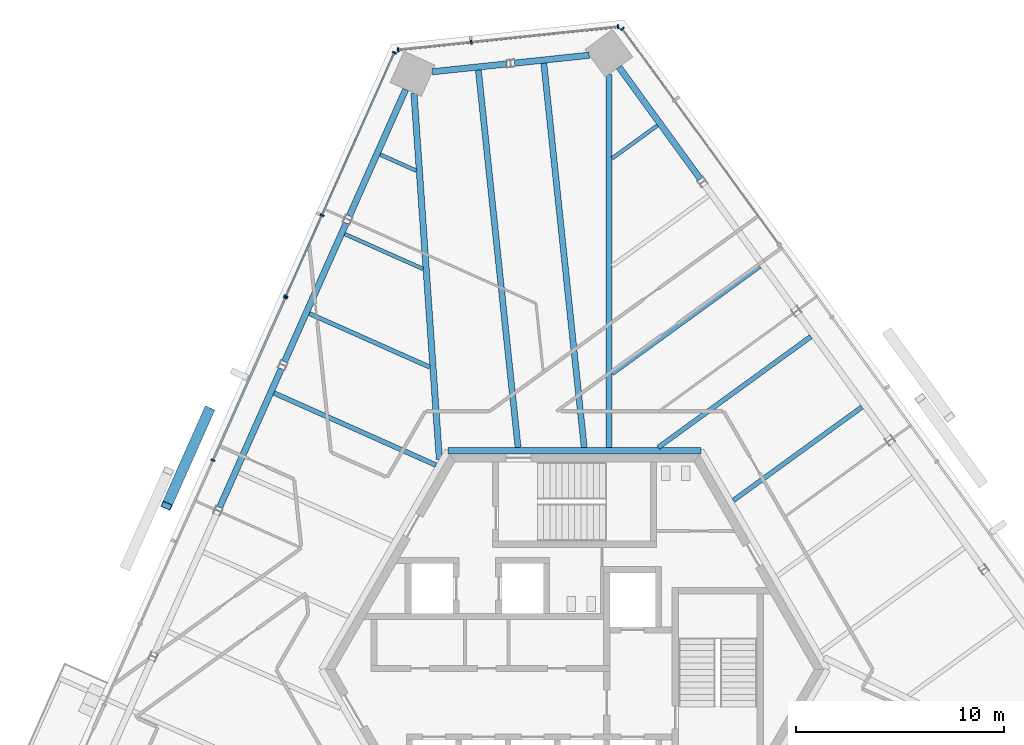
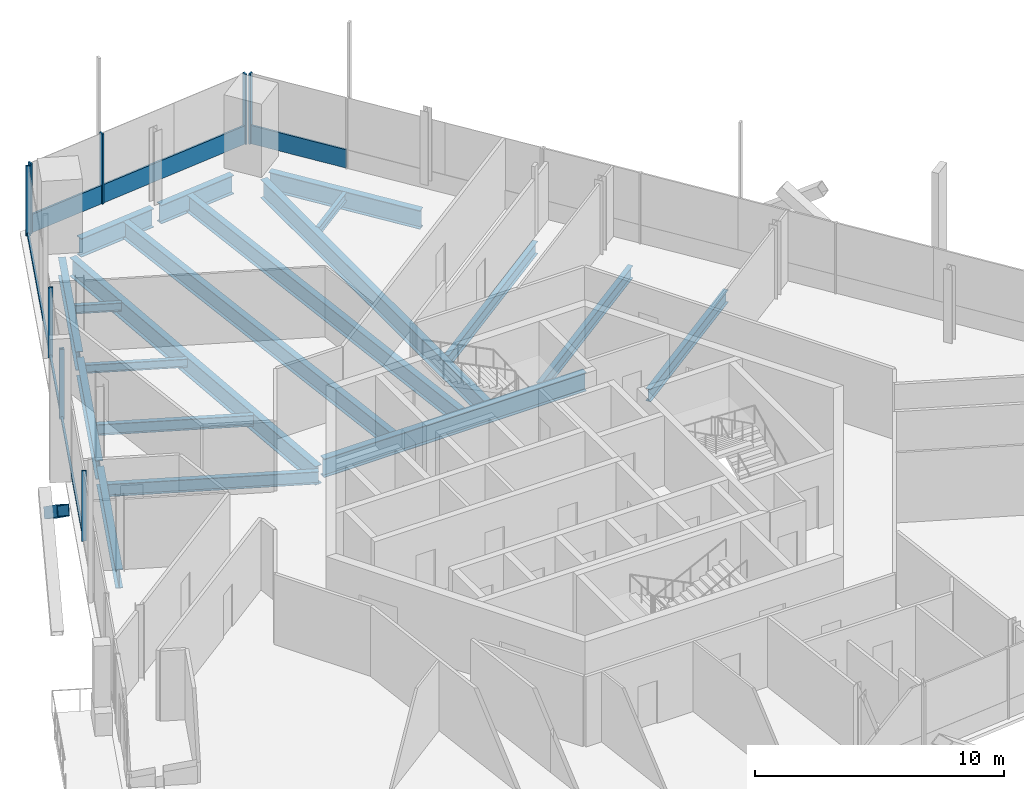
# One storey, part 7 of 20: 19 beams, 16 members, 4 elements without a shape of their own.
"""IFC4 building model written with IfcOpenShell, lengths in metres."""

from ifc_helpers import new_model, si_unit, direction, frame, origin, origin_2d, place, context, subcontext, project, spatial, rectangle, hollow_rectangle, i_section, extrude, source, transform, mapped, material, material_profile, profile_set, type_object, element, aggregate, save


model = new_model("IFC4")

# Units and contexts
model_context = context("Model", 3, precision=1e-05, world=origin(), true_north=direction((0.0, 1.0)))
body_context = subcontext(model_context, "Body", "Model", "MODEL_VIEW")
ifc_project = project(units=[si_unit("LENGTHUNIT", "METRE"), si_unit("AREAUNIT", "SQUARE_METRE"), si_unit("VOLUMEUNIT", "CUBIC_METRE"), si_unit("PLANEANGLEUNIT", "RADIAN"), si_unit("MASSUNIT", "GRAM", prefix="KILO")], contexts=[model_context])

# Site, building, storey
site_placement = place(None, origin())
site = spatial("IfcSite", under=ifc_project, at=site_placement, CompositionType="ELEMENT")
building_placement = place(site_placement, origin())
building = spatial("IfcBuilding", under=site, at=building_placement, Name="Triune Harvest Tower", CompositionType="ELEMENT")
storey_placement = place(building_placement, frame((0.0, 0.0, 234.10009765625)))
storey = spatial("IfcBuildingStorey", under=building, at=storey_placement, Name="L61", CompositionType="ELEMENT", Elevation=234.10009765625)

# Curtain wall, member
ifc_material_1 = material(Name="Aluminium bronze anodised", Category="aluminium")
curtain_wall_type_1 = type_object("IfcCurtainWallType", Name="CW-6 Balcony window wall", PredefinedType="NOTDEFINED", material=ifc_material_1)
curtain_wall_1_placement = place(storey_placement, origin())
curtain_wall_1 = element("IfcCurtainWall", 1, at=curtain_wall_1_placement, inside=storey, type_object=curtain_wall_type_1, Name="CW-6 B6-F3 L61 run 1")
ifc_material_2 = material(Name="Aluminium bronze anodised", Category="aluminium")
ifc_material_profile_1 = material_profile(ifc_material_2, rectangle(XDim=0.090087890625, YDim=0.14990234375, at=origin_2d()), Name="TR-6 transom 90 x 150")
ifc_profile_set_1 = profile_set([ifc_material_profile_1], Name="Aluminium bronze anodised")
member_type_1 = type_object("IfcMemberType", Name="TR-6 transom 90 x 150", PredefinedType="USERDEFINED", material=ifc_profile_set_1)
member_1_placement = place(storey_placement, frame((-12.172119140625, 21.841552734375, 0.074951171875), z_axis=(-0.406727271688, -0.913549629996, 0.0), x_axis=(0.913549629996, -0.406727271688, 0.0)))
member_1 = element("IfcMember", 2, at=member_1_placement, type_object=member_type_1, Name="CW-6 transom B6-F3 1.2", ObjectType="TRANSOM", PredefinedType="USERDEFINED", context=body_context, shape_type="SweptSolid", body=[
    extrude(rectangle(XDim=0.090087890625, YDim=0.14990234375, at=origin_2d()), origin(), (0.0, 0.0, 1.0), 4.19287109375),
])

# Beams
ifc_material_3 = material(Name="Steel ASTM A992 Gr 50", Category="steel")
ifc_material_profile_2 = material_profile(ifc_material_3, i_section(OverallWidth=0.3046875, OverallDepth=0.914306640625, WebThickness=0.0166015625, FlangeThickness=0.02587890625, at=origin_2d()), Name="W36x160")
ifc_profile_set_2 = profile_set([ifc_material_profile_2], Name="Steel ASTM A992 Gr 50")
beam_type_1 = type_object("IfcBeamType", Name="CG-1 Core ring girder W36x160", PredefinedType="BEAM", material=ifc_profile_set_2)
shared_shape_1 = source(origin(), body_context, "Body", "SweptSolid", [
    extrude(i_section(OverallWidth=0.3046875, OverallDepth=0.914306640625, WebThickness=0.0166015625, FlangeThickness=0.02587890625, at=origin_2d()), origin(), (0.0, 0.0, 1.0), 12.17578125),
])
beam_1_placement = place(storey_placement, frame((6.087890625, 10.544677734375, -0.6171875), z_axis=(-1.0, 0.0, 0.0), x_axis=(0.0, -1.0, 0.0)))
element("IfcBeam", 3, at=beam_1_placement, inside=storey, type_object=beam_type_1, Name="beam/L61/CG2", PredefinedType="BEAM", context=body_context, shape_type="MappedRepresentation", body=[
    mapped(shared_shape_1, transform((0.0, 0.0, 0.0), scale=1.0)),
])
ifc_material_4 = material(Name="Steel ASTM A992 Gr 50", Category="steel")
ifc_material_profile_3 = material_profile(ifc_material_4, i_section(OverallWidth=0.3046875, OverallDepth=0.914306640625, WebThickness=0.0166015625, FlangeThickness=0.02587890625, at=origin_2d()), Name="W36x160")
ifc_profile_set_3 = profile_set([ifc_material_profile_3], Name="Steel ASTM A992 Gr 50")
beam_type_2 = type_object("IfcBeamType", Name="SB-1 Spandrel beam W36x160", PredefinedType="SPANDREL", material=ifc_profile_set_3)
shared_shape_2 = source(origin(), body_context, "Body", "SweptSolid", [
    extrude(i_section(OverallWidth=0.3046875, OverallDepth=0.914306640625, WebThickness=0.0166015625, FlangeThickness=0.02587890625, at=origin_2d()), origin(), (0.0, 0.0, 1.0), 6.67041015625),
])
beam_2_placement = place(storey_placement, frame((6.06396484375, 23.617919921875, -0.6171875), z_axis=(-0.587797324645, 0.80900822316, 0.0), x_axis=(-0.80900822316, -0.587797324645, 0.0)))
element("IfcBeam", 4, at=beam_2_placement, inside=storey, type_object=beam_type_2, Name="beam/L61/SB6", PredefinedType="SPANDREL", context=body_context, shape_type="MappedRepresentation", body=[
    mapped(shared_shape_2, transform((0.0, 0.0, 0.0), scale=1.0)),
])
shared_shape_3 = source(origin(), body_context, "Body", "SweptSolid", [
    extrude(i_section(OverallWidth=0.3046875, OverallDepth=0.914306640625, WebThickness=0.0166015625, FlangeThickness=0.02587890625, at=origin_2d()), origin(), (0.0, 0.0, 1.0), 7.31103515625),
])
beam_3_placement = place(storey_placement, frame((-14.114990234375, 14.489013671875, -0.6171875), z_axis=(-0.406761135511, -0.913534552514, 0.0), x_axis=(0.913534552514, -0.406761135511, 0.0)))
element("IfcBeam", 5, at=beam_3_placement, inside=storey, type_object=beam_type_2, Name="beam/L61/SB11", PredefinedType="SPANDREL", context=body_context, shape_type="MappedRepresentation", body=[
    mapped(shared_shape_3, transform((0.0, 0.0, 0.0), scale=1.0)),
])
shared_shape_4 = source(origin(), body_context, "Body", "SweptSolid", [
    extrude(i_section(OverallWidth=0.3046875, OverallDepth=0.914306640625, WebThickness=0.0166015625, FlangeThickness=0.02587890625, at=origin_2d()), origin(), (0.0, 0.0, 1.0), 3.614990234375),
])
for number, where, z_axis, x_axis, name in (
    (6, (0.710693359375, 29.58203125, -0.6171875), (-0.994520245169, -0.104544162673, 0.0), (0.104544162673, -0.994520245169, 0.0), "beam/L61/SB7"),
    (7, (-3.25048828125, 29.165771484375, -0.6171875), (-0.994520245169, -0.104544162673, 0.0), (0.104544162673, -0.994520245169, 0.0), "beam/L61/SB8"),
):
    element("IfcBeam", number, at=place(storey_placement, frame(where, z_axis=z_axis, x_axis=x_axis)), inside=storey, type_object=beam_type_2, Name=name, PredefinedType="SPANDREL", context=body_context, shape_type="MappedRepresentation", body=[
        mapped(shared_shape_4, transform((0.0, 0.0, 0.0), scale=1.0)),
    ])
shared_shape_5 = source(origin(), body_context, "Body", "SweptSolid", [
    extrude(i_section(OverallWidth=0.3046875, OverallDepth=0.914306640625, WebThickness=0.0166015625, FlangeThickness=0.02587890625, at=origin_2d()), origin(), (0.0, 0.0, 1.0), 6.670166015625),
])
beam_4_placement = place(storey_placement, frame((-8.128662109375, 27.9345703125, -0.6171875), z_axis=(-0.406753053854, -0.913538150917, 0.0), x_axis=(0.913538150917, -0.406753053854, 0.0)))
element("IfcBeam", 8, at=beam_4_placement, inside=storey, type_object=beam_type_2, Name="beam/L61/SB9", PredefinedType="SPANDREL", context=body_context, shape_type="MappedRepresentation", body=[
    mapped(shared_shape_5, transform((0.0, 0.0, 0.0), scale=1.0)),
])
shared_shape_6 = source(origin(), body_context, "Body", "SweptSolid", [
    extrude(i_section(OverallWidth=0.3046875, OverallDepth=0.914306640625, WebThickness=0.0166015625, FlangeThickness=0.02587890625, at=origin_2d()), origin(), (0.0, 0.0, 1.0), 7.311279296875),
])
beam_5_placement = place(storey_placement, frame((-10.991455078125, 21.504638671875, -0.6171875), z_axis=(-0.406720859208, -0.91355248491, 0.0), x_axis=(0.91355248491, -0.406720859208, 0.0)))
element("IfcBeam", 9, at=beam_5_placement, inside=storey, type_object=beam_type_2, Name="beam/L61/SB10", PredefinedType="SPANDREL", context=body_context, shape_type="MappedRepresentation", body=[
    mapped(shared_shape_6, transform((0.0, 0.0, 0.0), scale=1.0)),
])
ifc_material_5 = material(Name="Steel ASTM A992 Gr 50", Category="steel")
ifc_material_profile_4 = material_profile(ifc_material_5, i_section(OverallWidth=0.3046875, OverallDepth=0.914306640625, WebThickness=0.0166015625, FlangeThickness=0.02587890625, at=origin_2d()), Name="W36x160")
ifc_profile_set_4 = profile_set([ifc_material_profile_4], Name="Steel ASTM A992 Gr 50")
beam_type_3 = type_object("IfcBeamType", Name="HG-3 Hip girder W36x160", PredefinedType="BEAM", material=ifc_profile_set_4)
shared_shape_7 = source(origin(), body_context, "Body", "SweptSolid", [
    extrude(i_section(OverallWidth=0.3046875, OverallDepth=0.914306640625, WebThickness=0.0166015625, FlangeThickness=0.02587890625, at=origin_2d()), origin(), (0.0, 0.0, 1.0), 17.96484375),
])
beam_6_placement = place(storey_placement, frame((1.658203125, 28.661865234375, -0.6171875), z_axis=(0.0, -1.0, 0.0), x_axis=(1.0, 0.0, 0.0)))
element("IfcBeam", 10, at=beam_6_placement, inside=storey, type_object=beam_type_3, Name="beam/L61/HG3", PredefinedType="BEAM", context=body_context, shape_type="MappedRepresentation", body=[
    mapped(shared_shape_7, transform((0.0, 0.0, 0.0), scale=1.0)),
])
shared_shape_8 = source(origin(), body_context, "Body", "SweptSolid", [
    extrude(i_section(OverallWidth=0.3046875, OverallDepth=0.914306640625, WebThickness=0.0166015625, FlangeThickness=0.02587890625, at=origin_2d()), origin(), (0.0, 0.0, 1.0), 17.6748046875),
])
beam_7_placement = place(storey_placement, frame((-7.728515625, 27.756591796875, -0.6171875), z_axis=(0.069119702871, -0.997608373399, 0.0), x_axis=(0.997608373399, 0.069119702871, 0.0)))
element("IfcBeam", 11, at=beam_7_placement, inside=storey, type_object=beam_type_3, Name="beam/L61/HG4", PredefinedType="BEAM", context=body_context, shape_type="MappedRepresentation", body=[
    mapped(shared_shape_8, transform((0.0, 0.0, 0.0), scale=1.0)),
])
ifc_material_6 = material(Name="Steel ASTM A992 Gr 50", Category="steel")
ifc_material_profile_5 = material_profile(ifc_material_6, i_section(OverallWidth=0.2099609375, OverallDepth=0.535888671875, WebThickness=0.010986328125, FlangeThickness=0.017333984375, at=origin_2d()), Name="W21x68")
ifc_profile_set_5 = profile_set([ifc_material_profile_5], Name="Steel ASTM A992 Gr 50")
beam_type_4 = type_object("IfcBeamType", Name="JT-2 Floor joist W21x68", PredefinedType="JOIST", material=ifc_profile_set_5)
shared_shape_9 = source(origin(), body_context, "Body", "SweptSolid", [
    extrude(i_section(OverallWidth=0.2099609375, OverallDepth=0.535888671875, WebThickness=0.010986328125, FlangeThickness=0.017333984375, at=origin_2d()), origin(), (0.0, 0.0, 1.0), 6.346435546875),
])
beam_8_placement = place(storey_placement, frame((-12.76513671875, 17.146484375, -0.427978515625), z_axis=(0.913549614508, -0.406727306476, 0.0), x_axis=(0.406727306476, 0.913549614508, 0.0)))
element("IfcBeam", 12, at=beam_8_placement, inside=storey, type_object=beam_type_4, Name="beam/L61/JT15", PredefinedType="JOIST", context=body_context, shape_type="MappedRepresentation", body=[
    mapped(shared_shape_9, transform((0.0, 0.0, 0.0), scale=1.0)),
])
ifc_material_7 = material(Name="Steel ASTM A992 Gr 50", Category="steel")
ifc_material_profile_6 = material_profile(ifc_material_7, i_section(OverallWidth=0.22900390625, OverallDepth=0.612060546875, WebThickness=0.011962890625, FlangeThickness=0.01953125, at=origin_2d()), Name="W24x84")
ifc_profile_set_6 = profile_set([ifc_material_profile_6], Name="Steel ASTM A992 Gr 50")
beam_type_5 = type_object("IfcBeamType", Name="JT-3 Floor joist W24x84", PredefinedType="JOIST", material=ifc_profile_set_6)
shared_shape_10 = source(origin(), body_context, "Body", "SweptSolid", [
    extrude(i_section(OverallWidth=0.22900390625, OverallDepth=0.612060546875, WebThickness=0.011962890625, FlangeThickness=0.01953125, at=origin_2d()), origin(), (0.0, 0.0, 1.0), 7.659423828125),
])
beam_9_placement = place(storey_placement, frame((13.845458984375, 12.648193359375, -0.46630859375), z_axis=(-0.809007534686, -0.587798272217, 0.0), x_axis=(0.587798272217, -0.809007534686, 0.0)))
element("IfcBeam", 13, at=beam_9_placement, inside=storey, type_object=beam_type_5, Name="beam/L61/JT6", PredefinedType="JOIST", context=body_context, shape_type="MappedRepresentation", body=[
    mapped(shared_shape_10, transform((0.0, 0.0, 0.0), scale=1.0)),
])
shared_shape_11 = source(origin(), body_context, "Body", "SweptSolid", [
    extrude(i_section(OverallWidth=0.22900390625, OverallDepth=0.612060546875, WebThickness=0.011962890625, FlangeThickness=0.01953125, at=origin_2d()), origin(), (0.0, 0.0, 1.0), 9.084716796875),
])
beam_10_placement = place(storey_placement, frame((11.38330078125, 16.036865234375, -0.46630859375), z_axis=(-0.809014901919, -0.5877881323, 0.0), x_axis=(0.5877881323, -0.809014901919, 0.0)))
element("IfcBeam", 14, at=beam_10_placement, inside=storey, type_object=beam_type_5, Name="beam/L61/JT7", PredefinedType="JOIST", context=body_context, shape_type="MappedRepresentation", body=[
    mapped(shared_shape_11, transform((0.0, 0.0, 0.0), scale=1.0)),
])
shared_shape_12 = source(origin(), body_context, "Body", "SweptSolid", [
    extrude(i_section(OverallWidth=0.22900390625, OverallDepth=0.612060546875, WebThickness=0.011962890625, FlangeThickness=0.01953125, at=origin_2d()), origin(), (0.0, 0.0, 1.0), 8.789306640625),
])
beam_11_placement = place(storey_placement, frame((8.921142578125, 19.42578125, -0.46630859375), z_axis=(-0.809011065255, -0.587793412939, 0.0), x_axis=(0.587793412939, -0.809011065255, 0.0)))
element("IfcBeam", 15, at=beam_11_placement, inside=storey, type_object=beam_type_5, Name="beam/L61/JT8", PredefinedType="JOIST", context=body_context, shape_type="MappedRepresentation", body=[
    mapped(shared_shape_12, transform((0.0, 0.0, 0.0), scale=1.0)),
])
ifc_material_8 = material(Name="Steel ASTM A992 Gr 50", Category="steel")
ifc_material_profile_7 = material_profile(ifc_material_8, i_section(OverallWidth=0.180908203125, OverallDepth=0.41650390625, WebThickness=0.010986328125, FlangeThickness=0.01806640625, at=origin_2d()), Name="W16x57")
ifc_profile_set_7 = profile_set([ifc_material_profile_7], Name="Steel ASTM A992 Gr 50")
beam_type_6 = type_object("IfcBeamType", Name="JT-1 Floor joist W16x57", PredefinedType="JOIST", material=ifc_profile_set_7)
shared_shape_13 = source(origin(), body_context, "Body", "SweptSolid", [
    extrude(i_section(OverallWidth=0.180908203125, OverallDepth=0.41650390625, WebThickness=0.010986328125, FlangeThickness=0.01806640625, at=origin_2d()), origin(), (0.0, 0.0, 1.0), 2.70263671875),
])
beam_12_placement = place(storey_placement, frame((3.9970703125, 26.203369140625, -0.368408203125), z_axis=(-0.809013338029, -0.587790284788, 0.0), x_axis=(0.587790284788, -0.809013338029, 0.0)))
element("IfcBeam", 16, at=beam_12_placement, inside=storey, type_object=beam_type_6, Name="beam/L61/JT10", PredefinedType="JOIST", context=body_context, shape_type="MappedRepresentation", body=[
    mapped(shared_shape_13, transform((0.0, 0.0, 0.0), scale=1.0)),
])
ifc_material_9 = material(Name="Steel ASTM A992 Gr 50", Category="steel")
ifc_material_profile_8 = material_profile(ifc_material_9, i_section(OverallWidth=0.2919921875, OverallDepth=0.8408203125, WebThickness=0.0146484375, FlangeThickness=0.021728515625, at=origin_2d()), Name="W33x130")
ifc_profile_set_8 = profile_set([ifc_material_profile_8], Name="Steel ASTM A992 Gr 50")
beam_type_7 = type_object("IfcBeamType", Name="JT-6 Floor joist W33x130", PredefinedType="JOIST", material=ifc_profile_set_8)
shared_shape_14 = source(origin(), body_context, "Body", "SweptSolid", [
    extrude(i_section(OverallWidth=0.2919921875, OverallDepth=0.8408203125, WebThickness=0.0146484375, FlangeThickness=0.021728515625, at=origin_2d()), origin(), (0.0, 0.0, 1.0), 18.60400390625),
])
beam_13_placement = place(storey_placement, frame((-1.476318359375, 29.198974609375, -0.58056640625), z_axis=(0.104538595675, -0.994520830357, 0.0), x_axis=(0.994520830357, 0.104538595675, 0.0)))
element("IfcBeam", 17, at=beam_13_placement, inside=storey, type_object=beam_type_7, Name="beam/L61/JT11", PredefinedType="JOIST", context=body_context, shape_type="MappedRepresentation", body=[
    mapped(shared_shape_14, transform((0.0, 0.0, 0.0), scale=1.0)),
])
shared_shape_15 = source(origin(), body_context, "Body", "SweptSolid", [
    extrude(i_section(OverallWidth=0.2919921875, OverallDepth=0.8408203125, WebThickness=0.0146484375, FlangeThickness=0.021728515625, at=origin_2d()), origin(), (0.0, 0.0, 1.0), 18.27099609375),
])
beam_14_placement = place(storey_placement, frame((-4.626708984375, 28.867919921875, -0.58056640625), z_axis=(0.104532454263, -0.99452147589, 0.0), x_axis=(0.99452147589, 0.104532454263, 0.0)))
element("IfcBeam", 18, at=beam_14_placement, inside=storey, type_object=beam_type_7, Name="beam/L61/JT12", PredefinedType="JOIST", context=body_context, shape_type="MappedRepresentation", body=[
    mapped(shared_shape_15, transform((0.0, 0.0, 0.0), scale=1.0)),
])
shared_shape_16 = source(origin(), body_context, "Body", "SweptSolid", [
    extrude(i_section(OverallWidth=0.180908203125, OverallDepth=0.41650390625, WebThickness=0.010986328125, FlangeThickness=0.01806640625, at=origin_2d()), origin(), (0.0, 0.0, 1.0), 1.899169921875),
])
beam_15_placement = place(storey_placement, frame((-9.357666015625, 24.7998046875, -0.368408203125), z_axis=(0.913535666592, -0.406758633422, 0.0), x_axis=(0.406758633422, 0.913535666592, 0.0)))
element("IfcBeam", 19, at=beam_15_placement, inside=storey, type_object=beam_type_6, Name="beam/L61/JT13", PredefinedType="JOIST", context=body_context, shape_type="MappedRepresentation", body=[
    mapped(shared_shape_16, transform((0.0, 0.0, 0.0), scale=1.0)),
])
shared_shape_17 = source(origin(), body_context, "Body", "SweptSolid", [
    extrude(i_section(OverallWidth=0.180908203125, OverallDepth=0.41650390625, WebThickness=0.010986328125, FlangeThickness=0.01806640625, at=origin_2d()), origin(), (0.0, 0.0, 1.0), 4.12255859375),
])
beam_16_placement = place(storey_placement, frame((-11.061279296875, 20.972900390625, -0.368408203125), z_axis=(0.913547607509, -0.406731814363, 0.0), x_axis=(0.406731814363, 0.913547607509, 0.0)))
element("IfcBeam", 20, at=beam_16_placement, inside=storey, type_object=beam_type_6, Name="beam/L61/JT14", PredefinedType="JOIST", context=body_context, shape_type="MappedRepresentation", body=[
    mapped(shared_shape_17, transform((0.0, 0.0, 0.0), scale=1.0)),
])
shared_shape_18 = source(origin(), body_context, "Body", "SweptSolid", [
    extrude(i_section(OverallWidth=0.22900390625, OverallDepth=0.612060546875, WebThickness=0.011962890625, FlangeThickness=0.01953125, at=origin_2d()), origin(), (0.0, 0.0, 1.0), 8.539794921875),
])
beam_17_placement = place(storey_placement, frame((-14.46875, 13.319580078125, -0.46630859375), z_axis=(0.913548460016, -0.406729899567, 0.0), x_axis=(0.406729899567, 0.913548460016, 0.0)))
element("IfcBeam", 21, at=beam_17_placement, inside=storey, type_object=beam_type_5, Name="beam/L61/JT16", PredefinedType="JOIST", context=body_context, shape_type="MappedRepresentation", body=[
    mapped(shared_shape_18, transform((0.0, 0.0, 0.0), scale=1.0)),
])

# Member
ifc_material_10 = material(Name="Steel ASTM A572 Gr 50", Category="steel")
ifc_material_profile_9 = material_profile(ifc_material_10, hollow_rectangle(XDim=0.5, YDim=0.5, WallThickness=0.030029296875, at=origin_2d()), Name="Box 500x500x30")
ifc_profile_set_9 = profile_set([ifc_material_profile_9], Name="Steel ASTM A572 Gr 50")
member_type_2 = type_object("IfcMemberType", Name="BR-3 Brace Box 500x500x30", PredefinedType="BRACE", material=ifc_profile_set_9)
shared_shape_19 = source(origin(), body_context, "Body", "SweptSolid", [
    extrude(hollow_rectangle(XDim=0.5, YDim=0.5, WallThickness=0.030029296875, at=origin_2d()), origin(), (0.0, 0.0, 1.0), 6.170654296875),
])
member_2_placement = place(storey_placement, frame((-17.604248046875, 12.468017578125, 0.0), z_axis=(-0.330359661148, -0.741983842536, 0.583371641153), x_axis=(0.913542177249, -0.406744010879, 0.0)))
element("IfcMember", 22, at=member_2_placement, inside=storey, type_object=member_type_2, Name="brace/B6-F3/d1/5", PredefinedType="BRACE", context=body_context, shape_type="MappedRepresentation", body=[
    mapped(shared_shape_19, transform((0.0, 0.0, 0.0), scale=1.0)),
])

# Curtain wall, member
ifc_material_11 = material(Name="Aluminium bronze anodised", Category="aluminium")
curtain_wall_type_2 = type_object("IfcCurtainWallType", Name="CW-1 Tower stick curtain wall", PredefinedType="NOTDEFINED", material=ifc_material_11)
curtain_wall_2_placement = place(storey_placement, origin())
curtain_wall_2 = element("IfcCurtainWall", 23, at=curtain_wall_2_placement, inside=storey, type_object=curtain_wall_type_2, Name="CW-1 B6-F1 L61 run 2001")
ifc_material_12 = material(Name="Aluminium bronze anodised", Category="aluminium")
ifc_material_profile_10 = material_profile(ifc_material_12, rectangle(XDim=0.199951171875, YDim=0.074951171875, at=origin_2d()), Name="MU-1 mullion 75 x 200")
ifc_profile_set_10 = profile_set([ifc_material_profile_10], Name="Aluminium bronze anodised")
member_type_3 = type_object("IfcMemberType", Name="MU-1 mullion 75 x 200", PredefinedType="MULLION", material=ifc_profile_set_10)
shared_shape_20 = source(origin(), body_context, "Body", "SweptSolid", [
    extrude(rectangle(XDim=0.199951171875, YDim=0.074951171875, at=origin_2d()), origin(), (0.0, 0.0, 1.0), 3.43994140625),
])
member_3_placement = place(storey_placement, frame((2.303955078125, 30.86083984375, 0.0), z_axis=(0.0, 0.0, 1.0), x_axis=(-0.809016286364, -0.587786226785, 0.0)))
member_3 = element("IfcMember", 24, at=member_3_placement, type_object=member_type_3, Name="CW-1 mullion B6-F1 2001.4", PredefinedType="MULLION", context=body_context, shape_type="MappedRepresentation", body=[
    mapped(shared_shape_20, transform((0.0, 0.0, 0.0), scale=1.0)),
])

# Curtain wall, members
curtain_wall_3_placement = place(storey_placement, origin())
curtain_wall_3 = element("IfcCurtainWall", 25, at=curtain_wall_3_placement, inside=storey, type_object=curtain_wall_type_2, Name="CW-1 B6-F2 L61 run 1")
member_4_placement = place(storey_placement, frame((2.102294921875, 30.95068359375, 0.0), z_axis=(0.0, 0.0, 1.0), x_axis=(0.104529672907, -0.994521768229, 0.0)))
member_4 = element("IfcMember", 26, at=member_4_placement, type_object=member_type_3, Name="CW-1 mullion B6-F2 1.1", PredefinedType="MULLION", context=body_context, shape_type="MappedRepresentation", body=[
    mapped(shared_shape_20, transform((0.0, 0.0, 0.0), scale=1.0)),
])
member_5_placement = place(storey_placement, frame((-4.972412109375, 30.20703125, 0.0), z_axis=(0.0, 0.0, 1.0), x_axis=(0.104529672907, -0.994521768229, 0.0)))
member_5 = element("IfcMember", 27, at=member_5_placement, type_object=member_type_3, Name="CW-1 mullion B6-F2 1.3", PredefinedType="MULLION", context=body_context, shape_type="MappedRepresentation", body=[
    mapped(shared_shape_20, transform((0.0, 0.0, 0.0), scale=1.0)),
])
member_6_placement = place(storey_placement, frame((-8.4912109375, 29.837158203125, 0.0), z_axis=(0.0, 0.0, 1.0), x_axis=(0.104529672907, -0.994521768229, 0.0)))
member_6 = element("IfcMember", 28, at=member_6_placement, type_object=member_type_3, Name="CW-1 mullion B6-F2 1.4", PredefinedType="MULLION", context=body_context, shape_type="MappedRepresentation", body=[
    mapped(shared_shape_20, transform((0.0, 0.0, 0.0), scale=1.0)),
])

# Member
ifc_material_13 = material(Name="Aluminium bronze anodised", Category="aluminium")
ifc_material_profile_11 = material_profile(ifc_material_13, rectangle(XDim=0.199951171875, YDim=0.074951171875, at=origin_2d()), Name="MU-6 mullion 75 x 200")
ifc_profile_set_11 = profile_set([ifc_material_profile_11], Name="Aluminium bronze anodised")
member_type_4 = type_object("IfcMemberType", Name="MU-6 mullion 75 x 200", PredefinedType="MULLION", material=ifc_profile_set_11)
shared_shape_21 = source(origin(), body_context, "Body", "SweptSolid", [
    extrude(rectangle(XDim=0.199951171875, YDim=0.074951171875, at=origin_2d()), origin(), (0.0, 0.0, 1.0), 3.43994140625),
])
member_7_placement = place(storey_placement, frame((-8.669921875, 29.707275390625, 0.0), z_axis=(0.0, 0.0, 1.0), x_axis=(0.913544368619, -0.406739089053, 0.0)))
member_7 = element("IfcMember", 29, at=member_7_placement, type_object=member_type_4, Name="CW-6 mullion B6-F3 1.1", PredefinedType="MULLION", context=body_context, shape_type="MappedRepresentation", body=[
    mapped(shared_shape_21, transform((0.0, 0.0, 0.0), scale=1.0)),
])

member_8_placement = place(storey_placement, frame((-12.15673828125, 21.875732421875, 0.0), z_axis=(0.0, 0.0, 1.0), x_axis=(0.913544368619, -0.406739089053, 0.0)))
member_8 = element("IfcMember", 30, at=member_8_placement, type_object=member_type_4, Name="CW-6 mullion B6-F3 1.3", PredefinedType="MULLION", context=body_context, shape_type="MappedRepresentation", body=[
    mapped(shared_shape_21, transform((0.0, 0.0, 0.0), scale=1.0)),
])

member_9_placement = place(storey_placement, frame((-13.892578125, 17.97705078125, 0.0), z_axis=(0.0, 0.0, 1.0), x_axis=(0.913544368619, -0.406739089053, 0.0)))
member_9 = element("IfcMember", 31, at=member_9_placement, type_object=member_type_4, Name="CW-6 mullion B6-F3 1.4", PredefinedType="MULLION", context=body_context, shape_type="MappedRepresentation", body=[
    mapped(shared_shape_21, transform((0.0, 0.0, 0.0), scale=1.0)),
])

# Curtain wall, members
ifc_material_14 = material(Name="Aluminium bronze anodised", Category="aluminium")
curtain_wall_type_3 = type_object("IfcCurtainWallType", Name="CW-10 Balcony window wall with insulated spandrel infill", PredefinedType="NOTDEFINED", material=ifc_material_14)
curtain_wall_4_placement = place(storey_placement, origin())
curtain_wall_4 = element("IfcCurtainWall", 32, at=curtain_wall_4_placement, inside=storey, type_object=curtain_wall_type_3, Name="CW-10 B6-F3 L61 run 1001")
member_10_placement = place(storey_placement, frame((-13.923095703125, 17.908447265625, 0.0), z_axis=(0.0, 0.0, 1.0), x_axis=(0.913545206938, -0.406737206167, 0.0)))
member_10 = element("IfcMember", 33, at=member_10_placement, type_object=member_type_4, Name="CW-10 mullion B6-F3 1001.1", PredefinedType="MULLION", context=body_context, shape_type="MappedRepresentation", body=[
    mapped(shared_shape_21, transform((0.0, 0.0, 0.0), scale=1.0)),
])
member_11_placement = place(storey_placement, frame((-17.409912109375, 10.076904296875, 0.0), z_axis=(0.0, 0.0, 1.0), x_axis=(0.913545206938, -0.406737206167, 0.0)))
member_11 = element("IfcMember", 34, at=member_11_placement, type_object=member_type_4, Name="CW-10 mullion B6-F3 1001.3", PredefinedType="MULLION", context=body_context, shape_type="MappedRepresentation", body=[
    mapped(shared_shape_21, transform((0.0, 0.0, 0.0), scale=1.0)),
])

# Member
ifc_material_15 = material(Name="Aluminium bronze anodised", Category="aluminium")
ifc_material_profile_12 = material_profile(ifc_material_15, rectangle(XDim=0.090087890625, YDim=0.89990234375, at=origin_2d()), Name="TR-1 transom 90 x 900")
ifc_profile_set_12 = profile_set([ifc_material_profile_12], Name="Aluminium bronze anodised")
member_type_5 = type_object("IfcMemberType", Name="TR-1 transom 90 x 900", PredefinedType="USERDEFINED", material=ifc_profile_set_12)
shared_shape_22 = source(origin(), body_context, "Body", "SweptSolid", [
    extrude(rectangle(XDim=0.090087890625, YDim=0.89990234375, at=origin_2d()), origin(), (0.0, 0.0, 1.0), 7.038818359375),
])
member_12_placement = place(storey_placement, frame((2.06494140625, 30.946533203125, 0.449951171875), z_axis=(-0.994524252306, -0.104506036069, 0.0), x_axis=(0.104506036069, -0.994524252306, 0.0)))
member_12 = element("IfcMember", 35, at=member_12_placement, type_object=member_type_5, Name="CW-1 transom B6-F2 1.1", ObjectType="TRANSOM", PredefinedType="USERDEFINED", context=body_context, shape_type="MappedRepresentation", body=[
    mapped(shared_shape_22, transform((0.0, 0.0, 0.0), scale=1.0)),
])

shared_shape_23 = source(origin(), body_context, "Body", "SweptSolid", [
    extrude(rectangle(XDim=0.090087890625, YDim=0.89990234375, at=origin_2d()), origin(), (0.0, 0.0, 1.0), 3.46337890625),
])
member_13_placement = place(storey_placement, frame((-5.009765625, 30.203125, 0.449951171875), z_axis=(-0.994520506962, -0.10454167223, 0.0), x_axis=(0.10454167223, -0.994520506962, 0.0)))
member_13 = element("IfcMember", 36, at=member_13_placement, type_object=member_type_5, Name="CW-1 transom B6-F2 1.2", ObjectType="TRANSOM", PredefinedType="USERDEFINED", context=body_context, shape_type="MappedRepresentation", body=[
    mapped(shared_shape_23, transform((0.0, 0.0, 0.0), scale=1.0)),
])

aggregate(curtain_wall_3, [member_4, member_5, member_6, member_12, member_13])

shared_shape_24 = source(origin(), body_context, "Body", "SweptSolid", [
    extrude(rectangle(XDim=0.090087890625, YDim=0.89990234375, at=origin_2d()), origin(), (0.0, 0.0, 1.0), 4.187255859375),
])
member_14_placement = place(storey_placement, frame((4.787353515625, 27.442626953125, 0.449951171875), z_axis=(-0.587766014616, 0.809030971016, 0.0), x_axis=(-0.809030971016, -0.587766014616, 0.0)))
member_14 = element("IfcMember", 37, at=member_14_placement, type_object=member_type_5, Name="CW-1 transom B6-F1 2001.2", ObjectType="TRANSOM", PredefinedType="USERDEFINED", context=body_context, shape_type="MappedRepresentation", body=[
    mapped(shared_shape_24, transform((0.0, 0.0, 0.0), scale=1.0)),
])

aggregate(curtain_wall_2, [member_3, member_14])

shared_shape_25 = source(origin(), body_context, "Body", "SweptSolid", [
    extrude(rectangle(XDim=0.090087890625, YDim=0.14990234375, at=origin_2d()), origin(), (0.0, 0.0, 1.0), 8.497802734375),
])
member_15_placement = place(storey_placement, frame((-8.685302734375, 29.673095703125, 0.074951171875), z_axis=(-0.406727490232, -0.913549532696, 0.0), x_axis=(0.913549532696, -0.406727490232, 0.0)))
member_15 = element("IfcMember", 38, at=member_15_placement, type_object=member_type_1, Name="CW-6 transom B6-F3 1.1", ObjectType="TRANSOM", PredefinedType="USERDEFINED", context=body_context, shape_type="MappedRepresentation", body=[
    mapped(shared_shape_25, transform((0.0, 0.0, 0.0), scale=1.0)),
])

aggregate(curtain_wall_1, [member_7, member_8, member_9, member_15, member_1])

member_16_placement = place(storey_placement, frame((-13.9384765625, 17.874267578125, 0.074951171875), z_axis=(-0.406727490232, -0.913549532696, 0.0), x_axis=(0.913549532696, -0.406727490232, 0.0)))
member_16 = element("IfcMember", 39, at=member_16_placement, type_object=member_type_1, Name="CW-10 transom B6-F3 1001.1", ObjectType="TRANSOM", PredefinedType="USERDEFINED", context=body_context, shape_type="MappedRepresentation", body=[
    mapped(shared_shape_25, transform((0.0, 0.0, 0.0), scale=1.0)),
])

aggregate(curtain_wall_4, [member_10, member_11, member_16])

save(model, "model.ifc")
